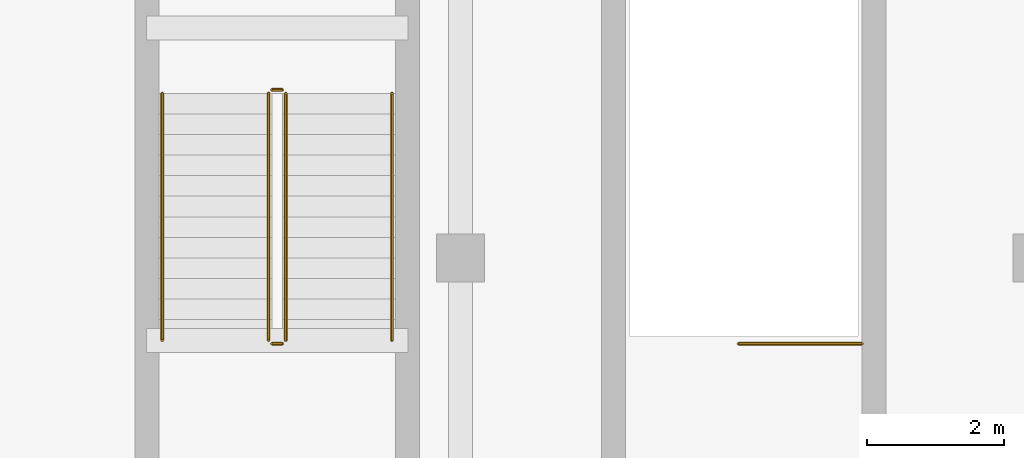
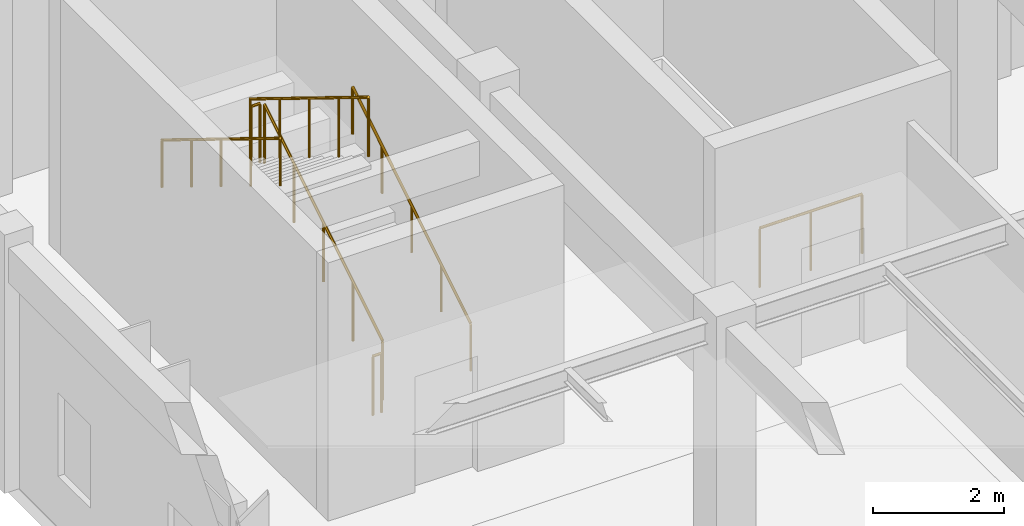
# One storey, part 116 of 122: 7 railings.
"""IFC4 building model written with IfcOpenShell, lengths in metres."""

from ifc_helpers import new_model, si_unit, direction, frame, origin, origin_2d, place, context, subcontext, project, spatial, circle, extrude, material, material_profile, profile_set, type_object, element, save


model = new_model("IFC4")

# Units and contexts
model_context = context("Model", 3, precision=1e-05, world=origin(), true_north=direction((0.0, 1.0)))
body_context = subcontext(model_context, "Body", "Model", "MODEL_VIEW")
ifc_project = project(units=[si_unit("LENGTHUNIT", "METRE"), si_unit("AREAUNIT", "SQUARE_METRE"), si_unit("VOLUMEUNIT", "CUBIC_METRE"), si_unit("PLANEANGLEUNIT", "RADIAN"), si_unit("MASSUNIT", "GRAM", prefix="KILO")], contexts=[model_context])

# Site, building, storey
site_placement = place(None, origin())
site = spatial("IfcSite", under=ifc_project, at=site_placement, CompositionType="ELEMENT")
building_placement = place(site_placement, origin())
building = spatial("IfcBuilding", under=site, at=building_placement, Name="Tazoul Stagehouse", CompositionType="ELEMENT")
storey_placement = place(building_placement, origin())
storey = spatial("IfcBuildingStorey", under=building, at=storey_placement, Name="L00", CompositionType="ELEMENT", Elevation=0.0)

# Railings
ifc_material = material(Name="Brushed Stainless Steel 316L", Category="steel")
ifc_material_profile_1 = material_profile(ifc_material, circle(Radius=0.02392578125, at=origin_2d()), Name="SS RAIL D48")
ifc_profile_set_1 = profile_set([ifc_material_profile_1], Name="Brushed Stainless Steel 316L")
railing_type_1 = type_object("IfcRailingType", Name="Architectural Guardrail H1120", PredefinedType="GUARDRAIL", material=ifc_profile_set_1)
railing_1_placement = place(storey_placement, frame((8.25, 79.39990234375, 0.1845703125)))
element("IfcRailing", 1, at=railing_1_placement, inside=storey, type_object=railing_type_1, Name="L00 ST-06 stair guard 1", PredefinedType="GUARDRAIL", context=body_context, shape_type="SweptSolid", body=[
    extrude(circle(Radius=0.02392578125, at=origin_2d()), frame((0.0, 0.0, 1.09619140625), z_axis=(0.0, 0.85167021472, 0.524078090897), x_axis=(-1.0, 0.0, 0.0)), (0.0, 0.0, 1.0), 4.22705078125),
    extrude(circle(Radius=0.02099609375, at=origin_2d()), origin(), (0.0, 0.0, 1.0), 1.072021484375),
    extrude(circle(Radius=0.02099609375, at=origin_2d()), frame((0.0, 0.89990234375, 0.5537109375)), (0.0, 0.0, 1.0), 1.072021484375),
    extrude(circle(Radius=0.02099609375, at=origin_2d()), frame((0.0, 1.800048828125, 1.107666015625)), (0.0, 0.0, 1.0), 1.072021484375),
    extrude(circle(Radius=0.02099609375, at=origin_2d()), frame((0.0, 2.7001953125, 1.66162109375)), (0.0, 0.0, 1.0), 1.072021484375),
    extrude(circle(Radius=0.02099609375, at=origin_2d()), frame((0.0, 3.60009765625, 2.21533203125)), (0.0, 0.0, 1.0), 1.072021484375),
])
railing_2_placement = place(storey_placement, frame((8.199951171875, 83.050048828125, 2.39990234375)))
element("IfcRailing", 2, at=railing_2_placement, inside=storey, type_object=railing_type_1, Name="L00 ST-06 stair guard 2", PredefinedType="GUARDRAIL", context=body_context, shape_type="SweptSolid", body=[
    extrude(circle(Radius=0.02392578125, at=origin_2d()), frame((0.0, 0.0, 1.09619140625), z_axis=(-1.0, 0.0, 0.0), x_axis=(0.0, -1.0, 0.0)), (0.0, 0.0, 1.0), 0.14990234375),
    extrude(circle(Radius=0.02099609375, at=origin_2d()), origin(), (0.0, 0.0, 1.0), 1.072021484375),
    extrude(circle(Radius=0.02099609375, at=origin_2d()), frame((-0.14990234375, 0.0, 0.0)), (0.0, 0.0, 1.0), 1.072021484375),
])
railing_3_placement = place(storey_placement, frame((8.0, 83.0, 2.584716796875)))
element("IfcRailing", 3, at=railing_3_placement, inside=storey, type_object=railing_type_1, Name="L00 ST-06 stair guard 3", PredefinedType="GUARDRAIL", context=body_context, shape_type="SweptSolid", body=[
    extrude(circle(Radius=0.02392578125, at=origin_2d()), frame((0.0, 0.0, 1.09619140625), z_axis=(0.0, -0.85167021472, 0.524078090897), x_axis=(1.0, 0.0, 0.0)), (0.0, 0.0, 1.0), 4.22705078125),
    extrude(circle(Radius=0.02099609375, at=origin_2d()), origin(), (0.0, 0.0, 1.0), 1.072021484375),
    extrude(circle(Radius=0.02099609375, at=origin_2d()), frame((0.0, -0.89990234375, 0.5537109375)), (0.0, 0.0, 1.0), 1.072021484375),
    extrude(circle(Radius=0.02099609375, at=origin_2d()), frame((0.0, -1.800048828125, 1.107666015625)), (0.0, 0.0, 1.0), 1.072021484375),
    extrude(circle(Radius=0.02099609375, at=origin_2d()), frame((0.0, -2.7001953125, 1.66162109375)), (0.0, 0.0, 1.0), 1.072021484375),
    extrude(circle(Radius=0.02099609375, at=origin_2d()), frame((0.0, -3.60009765625, 2.21533203125)), (0.0, 0.0, 1.0), 1.072021484375),
])
railing_4_placement = place(storey_placement, frame((8.199951171875, 79.35009765625, 0.0)))
element("IfcRailing", 4, at=railing_4_placement, inside=storey, type_object=railing_type_1, Name="L00 ST-06 stair guard 4", PredefinedType="GUARDRAIL", context=body_context, shape_type="SweptSolid", body=[
    extrude(circle(Radius=0.02392578125, at=origin_2d()), frame((0.0, 0.0, 1.09619140625), z_axis=(-1.0, 0.0, 0.0), x_axis=(0.0, -1.0, 0.0)), (0.0, 0.0, 1.0), 0.14990234375),
    extrude(circle(Radius=0.02099609375, at=origin_2d()), origin(), (0.0, 0.0, 1.0), 1.072021484375),
    extrude(circle(Radius=0.02099609375, at=origin_2d()), frame((-0.14990234375, 0.0, 0.0)), (0.0, 0.0, 1.0), 1.072021484375),
])
railing_5_placement = place(storey_placement, frame((16.64990234375, 79.35009765625, 0.0)))
element("IfcRailing", 5, at=railing_5_placement, inside=storey, type_object=railing_type_1, Name="L00 ST-B6 top well guard 1", PredefinedType="GUARDRAIL", context=body_context, shape_type="SweptSolid", body=[
    extrude(circle(Radius=0.02392578125, at=origin_2d()), frame((0.0, 0.0, 1.09619140625), z_axis=(-1.0, 0.0, 0.0), x_axis=(0.0, -1.0, 0.0)), (0.0, 0.0, 1.0), 1.7998046875),
    extrude(circle(Radius=0.02099609375, at=origin_2d()), origin(), (0.0, 0.0, 1.0), 1.072021484375),
    extrude(circle(Radius=0.02099609375, at=origin_2d()), frame((-0.89990234375, 0.0, 0.0)), (0.0, 0.0, 1.0), 1.072021484375),
    extrude(circle(Radius=0.02099609375, at=origin_2d()), frame((-1.7998046875, 0.0, 0.0)), (0.0, 0.0, 1.0), 1.072021484375),
])
ifc_material_profile_2 = material_profile(ifc_material, circle(Radius=0.02099609375, at=origin_2d()), Name="SS HANDRAIL D42")
ifc_profile_set_2 = profile_set([ifc_material_profile_2], Name="Brushed Stainless Steel 316L")
railing_type_2 = type_object("IfcRailingType", Name="Continuous Stair Handrail H900", PredefinedType="HANDRAIL", material=ifc_profile_set_2)
railing_6_placement = place(storey_placement, frame((9.800048828125, 79.39990234375, 0.1845703125)))
element("IfcRailing", 6, at=railing_6_placement, inside=storey, type_object=railing_type_2, Name="L00 ST-06 stair handrail 1", PredefinedType="HANDRAIL", context=body_context, shape_type="SweptSolid", body=[
    extrude(circle(Radius=0.02392578125, at=origin_2d()), frame((0.0, 0.0, 0.8759765625), z_axis=(0.0, 0.85167021472, 0.524078090897), x_axis=(-1.0, 0.0, 0.0)), (0.0, 0.0, 1.0), 4.22705078125),
    extrude(circle(Radius=0.02099609375, at=origin_2d()), origin(), (0.0, 0.0, 1.0), 0.851806640625),
    extrude(circle(Radius=0.02099609375, at=origin_2d()), frame((0.0, 0.89990234375, 0.5537109375)), (0.0, 0.0, 1.0), 0.851806640625),
    extrude(circle(Radius=0.02099609375, at=origin_2d()), frame((0.0, 1.800048828125, 1.107666015625)), (0.0, 0.0, 1.0), 0.851806640625),
    extrude(circle(Radius=0.02099609375, at=origin_2d()), frame((0.0, 2.7001953125, 1.66162109375)), (0.0, 0.0, 1.0), 0.851806640625),
    extrude(circle(Radius=0.02099609375, at=origin_2d()), frame((0.0, 3.60009765625, 2.21533203125)), (0.0, 0.0, 1.0), 0.851806640625),
])
railing_7_placement = place(storey_placement, frame((6.449951171875, 83.0, 2.584716796875)))
element("IfcRailing", 7, at=railing_7_placement, inside=storey, type_object=railing_type_2, Name="L00 ST-06 stair handrail 2", PredefinedType="HANDRAIL", context=body_context, shape_type="SweptSolid", body=[
    extrude(circle(Radius=0.02392578125, at=origin_2d()), frame((0.0, 0.0, 0.8759765625), z_axis=(0.0, -0.85167021472, 0.524078090897), x_axis=(1.0, 0.0, 0.0)), (0.0, 0.0, 1.0), 4.22705078125),
    extrude(circle(Radius=0.02099609375, at=origin_2d()), origin(), (0.0, 0.0, 1.0), 0.851806640625),
    extrude(circle(Radius=0.02099609375, at=origin_2d()), frame((0.0, -0.89990234375, 0.5537109375)), (0.0, 0.0, 1.0), 0.851806640625),
    extrude(circle(Radius=0.02099609375, at=origin_2d()), frame((0.0, -1.800048828125, 1.107666015625)), (0.0, 0.0, 1.0), 0.851806640625),
    extrude(circle(Radius=0.02099609375, at=origin_2d()), frame((0.0, -2.7001953125, 1.66162109375)), (0.0, 0.0, 1.0), 0.851806640625),
    extrude(circle(Radius=0.02099609375, at=origin_2d()), frame((0.0, -3.60009765625, 2.21533203125)), (0.0, 0.0, 1.0), 0.851806640625),
])

save(model, "model.ifc")
